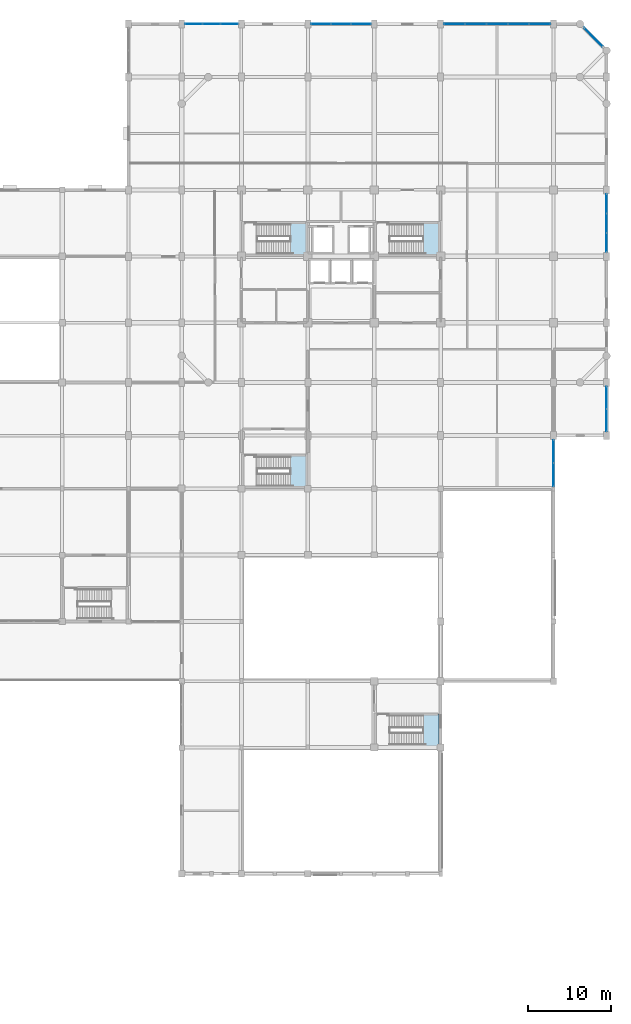
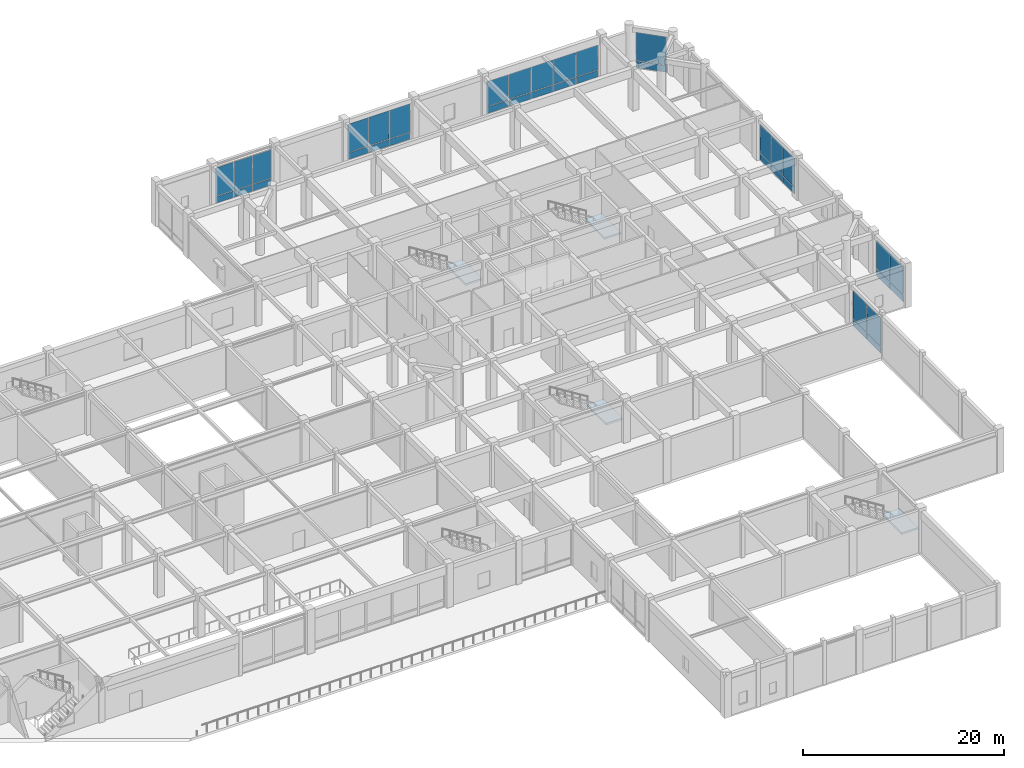
# One storey, part 20 of 36: 38 plates, 4 slabs, 11 elements without a shape of their own.
"""IFC4 building model written with IfcOpenShell, lengths in metres."""

import ifcopenshell
import ifcopenshell.guid

model = None  # the IFC model being written
_history = None  # IfcOwnerHistory: only IFC2X3 demands one
_inside = {}  # id of a spatial element -> (the spatial element, [elements in it])
_under = {}  # id of a project, library or spatial element -> (it, [spatial elements below it])
_declared = {}  # id of a project -> (the project, [libraries it declares])
_typed = {}  # id of a type object -> (the type object, [elements of that type])
_made_of = {}  # id of a material, layer set ... -> (it, [elements and type objects made of it])


def new_model(schema):
    """Start an empty IFC model of exactly this schema.

    Asked for "IFC4X3", IfcOpenShell would pick the latest addendum, in which some entities
    have other attributes; the version numbers below select the first issue.
    IFC2X3 requires an IfcOwnerHistory on every rooted entity: one is made here for all.
    """
    global model, _history
    if schema == "IFC4X3":
        model = ifcopenshell.file(schema_version=(4, 3, 0, 0))
    else:
        model = ifcopenshell.file(schema=schema)
    _inside.clear()
    _under.clear()
    _declared.clear()
    _typed.clear()
    _made_of.clear()
    _history = None
    if model.schema == "IFC2X3":
        org = make("IfcOrganization", Name="unknown")
        user = make(
            "IfcPersonAndOrganization",
            ThePerson=make("IfcPerson", FamilyName="unknown"),
            TheOrganization=org,
        )
        app = make(
            "IfcApplication",
            ApplicationDeveloper=org,
            Version="unknown",
            ApplicationFullName="unknown",
            ApplicationIdentifier="unknown",
        )
        _history = make(
            "IfcOwnerHistory",
            OwningUser=user,
            OwningApplication=app,
            ChangeAction="ADDED",
            CreationDate=0,
        )
    return model


def make(cls, **values):
    """One entity of the class cls with the attributes given. An attribute that is None is left unset."""
    return model.create_entity(
        cls, **{name: value for name, value in values.items() if value is not None}
    )


def rooted(cls, **values):
    """An entity with a GlobalId (a new one), such as an element, a storey or a relation."""
    return make(cls, GlobalId=ifcopenshell.guid.new(), OwnerHistory=_history, **values)


def si_unit(unit_type, name, prefix=None):
    """IfcSIUnit, for example si_unit("LENGTHUNIT", "METRE", prefix="MILLI")."""
    return make("IfcSIUnit", UnitType=unit_type, Prefix=prefix, Name=name)


def assignment(units):
    """IfcUnitAssignment: the units of a project."""
    return None if units is None else make("IfcUnitAssignment", Units=units)


def point(xyz):
    """IfcCartesianPoint."""
    return None if xyz is None else make("IfcCartesianPoint", Coordinates=xyz)


def direction(xyz):
    """IfcDirection."""
    return None if xyz is None else make("IfcDirection", DirectionRatios=xyz)


def frame(location, z_axis=None, x_axis=None):
    """IfcAxis2Placement3D, a coordinate frame: its origin and axes. An axis left out is left unset."""
    return make(
        "IfcAxis2Placement3D",
        Location=point(location),
        Axis=direction(z_axis),
        RefDirection=direction(x_axis),
    )


def frame_2d(location, x_axis=None):
    """IfcAxis2Placement2D, a coordinate frame in the plane: its origin and x axis."""
    return make(
        "IfcAxis2Placement2D", Location=point(location), RefDirection=direction(x_axis)
    )


def origin():
    """The frame at (0, 0, 0) with its axes left unset."""
    return frame((0.0, 0.0, 0.0))


def origin_2d():
    """The frame at (0, 0) in the plane with its x axis left unset."""
    return frame_2d((0.0, 0.0))


def place(relative_to, where):
    """IfcLocalPlacement: puts the frame where relative to a parent placement (None: the world)."""
    return make(
        "IfcLocalPlacement", PlacementRelTo=relative_to, RelativePlacement=where
    )


def context(
    kind, dimensions, precision=None, world=None, true_north=None, identifier=None
):
    """IfcGeometricRepresentationContext, for example the 3D "Model" context."""
    return make(
        "IfcGeometricRepresentationContext",
        ContextIdentifier=identifier,
        ContextType=kind,
        CoordinateSpaceDimension=dimensions,
        Precision=precision,
        WorldCoordinateSystem=world,
        TrueNorth=true_north,
    )


def subcontext(parent, identifier, kind, view, scale=None):
    """IfcGeometricRepresentationSubContext, for example "Body" below "Model"."""
    return make(
        "IfcGeometricRepresentationSubContext",
        ContextIdentifier=identifier,
        ContextType=kind,
        ParentContext=parent,
        TargetScale=scale,
        TargetView=view,
    )


def project(units=None, contexts=None):
    """IfcProject with its units and contexts."""
    return rooted(
        "IfcProject",
        Name="project",
        RepresentationContexts=contexts,
        UnitsInContext=assignment(units),
    )


def spatial(cls, under=None, at=None, **own):
    """A site, building, storey or space (cls), placed at a placement, below another one or the project."""
    s = rooted(cls, ObjectPlacement=at, **own)
    if under is not None:
        _under.setdefault(under.id(), (under, []))[1].append(s)
    return s


def polyline(points):
    """IfcPolyline through the points."""
    return make("IfcPolyline", Points=[point(p) for p in points])


def profile(cls, at=None, kind="AREA", **sizes):
    """A parametric profile (cls). Its sizes go by their IFC names, for example OverallWidth=200.0."""
    return make(cls, ProfileType=kind, Position=at, **sizes)


def rectangle(**sizes):
    """IfcRectangleProfileDef."""
    return profile("IfcRectangleProfileDef", **sizes)


def outline(outer, holes=None, kind="AREA"):
    """IfcArbitraryClosedProfileDef: a profile drawn as a closed curve; with holes, ...WithVoids."""
    if holes is None:
        return make("IfcArbitraryClosedProfileDef", ProfileType=kind, OuterCurve=outer)
    return make(
        "IfcArbitraryProfileDefWithVoids",
        ProfileType=kind,
        OuterCurve=outer,
        InnerCurves=holes,
    )


def extrude(swept, where, along, depth):
    """IfcExtrudedAreaSolid: the profile swept, set in the frame where, extruded along a direction by depth."""
    return make(
        "IfcExtrudedAreaSolid",
        SweptArea=swept,
        Position=where,
        ExtrudedDirection=direction(along),
        Depth=depth,
    )


def shape(context_of_items, identifier, shape_type, items):
    """IfcShapeRepresentation: the items that make up one representation, for example the "Body"."""
    return make(
        "IfcShapeRepresentation",
        ContextOfItems=context_of_items,
        RepresentationIdentifier=identifier,
        RepresentationType=shape_type,
        Items=items,
    )


def material(Name=None, Category=None):
    """IfcMaterial."""
    return make("IfcMaterial", Name=Name, Category=Category)


def layer(
    of_material, thickness, ventilated=None, Name=None, Category=None, Priority=None
):
    """IfcMaterialLayer: one layer of a wall or slab, of a material (None: an air gap)."""
    return make(
        "IfcMaterialLayer",
        Material=of_material,
        LayerThickness=thickness,
        IsVentilated=ventilated,
        Name=Name,
        Category=Category,
        Priority=Priority,
    )


def layer_set(layers, Name=None):
    """IfcMaterialLayerSet."""
    return make("IfcMaterialLayerSet", MaterialLayers=layers, LayerSetName=Name)


def made_of(thing, what):
    """Note that an element or type object is made of a material, layer set ...; save() writes the relation."""
    if what is not None:
        _made_of.setdefault(what.id(), (what, []))[1].append(thing)
    return thing


def type_object(cls, material=None, **own):
    """A type object (cls), such as IfcWallType, which elements share."""
    return made_of(rooted(cls, **own), material)


def element(
    cls,
    number,
    at=None,
    inside=None,
    cuts=None,
    type_object=None,
    material=None,
    context=None,
    identifier="Body",
    shape_type=None,
    held_by="IfcProductDefinitionShape",
    body=None,
    shapes=None,
    **own,
):
    """One element of the class cls, such as IfcWall. Its Tag is "e" and its number.

    at: its placement. inside: the storey or other place that contains it. cuts: it is an
    opening in that element (IfcRelVoidsElement). A single representation is given by context,
    identifier, shape_type and body (its items); several are given by shapes. held_by: the class
    of the entity that holds the representations. save() writes the other relations.
    """
    e = rooted(cls, Tag="e%d" % number, ObjectPlacement=at, **own)
    if body is not None:
        shapes = [shape(context, identifier, shape_type, body)]
    if shapes is not None:
        e.Representation = make(held_by, Representations=shapes)
    if inside is not None:
        _inside.setdefault(inside.id(), (inside, []))[1].append(e)
    if cuts is not None:
        rooted(
            "IfcRelVoidsElement", RelatingBuildingElement=cuts, RelatedOpeningElement=e
        )
    if type_object is not None:
        _typed.setdefault(type_object.id(), (type_object, []))[1].append(e)
    return made_of(e, material)


def aggregate(whole, parts):
    """IfcRelAggregates: a whole, such as a stair, and the parts it consists of."""
    return rooted("IfcRelAggregates", RelatingObject=whole, RelatedObjects=parts)


def save(model, path):
    """Write the relations noted so far, then the file.

    IfcRelAggregates (storeys below a building ...), IfcRelContainedInSpatialStructure (elements
    in a storey), IfcRelDefinesByType, IfcRelAssociatesMaterial and IfcRelDeclares: one each for
    every whole, place, type object, material and project.
    """
    for whole, parts in _under.values():
        aggregate(whole, parts)
    for where, things in _inside.values():
        rooted(
            "IfcRelContainedInSpatialStructure",
            RelatedElements=things,
            RelatingStructure=where,
        )
    for kind, things in _typed.values():
        rooted("IfcRelDefinesByType", RelatedObjects=things, RelatingType=kind)
    for what, things in _made_of.values():
        rooted("IfcRelAssociatesMaterial", RelatedObjects=things, RelatingMaterial=what)
    for by, libraries in _declared.values():
        rooted("IfcRelDeclares", RelatingContext=by, RelatedDefinitions=libraries)
    model.write(path)


model = new_model("IFC4")

# Units and contexts
model_context = context("Model", 3, precision=1e-05, world=origin(), true_north=direction((0.0, 1.0)))
body_context = subcontext(model_context, "Body", "Model", "MODEL_VIEW")
ifc_project = project(units=[si_unit("LENGTHUNIT", "METRE"), si_unit("AREAUNIT", "SQUARE_METRE"), si_unit("VOLUMEUNIT", "CUBIC_METRE"), si_unit("PLANEANGLEUNIT", "RADIAN"), si_unit("MASSUNIT", "GRAM", prefix="KILO")], contexts=[model_context])

# Site, building, storey
site_placement = place(None, origin())
site = spatial("IfcSite", under=ifc_project, at=site_placement, CompositionType="ELEMENT")
building_placement = place(site_placement, origin())
building = spatial("IfcBuilding", under=site, at=building_placement, Name="Vellmiral Cinema and Media Centre", CompositionType="ELEMENT")
storey_placement = place(building_placement, frame((0.0, 0.0, 5.39990234375)))
storey = spatial("IfcBuildingStorey", under=building, at=storey_placement, Name="L01", CompositionType="ELEMENT", Elevation=5.39990234375)

# Curtain wall, plates
ifc_material_1 = material(Name="Thermally Broken Aluminium and Triple Glazing", Category="aluminium")
curtain_wall_type = type_object("IfcCurtainWallType", Name="CW-LIB-BAY", PredefinedType="USERDEFINED", material=ifc_material_1)
curtain_wall_1_placement = place(storey_placement, origin())
curtain_wall_1 = element("IfcCurtainWall", 1, at=curtain_wall_1_placement, inside=storey, type_object=curtain_wall_type, Name="Curtain Wall L01-B034", ObjectType="STICK CURTAIN WALL", PredefinedType="USERDEFINED")
ifc_material_2 = material(Name="Laminated Studio Acoustic Glazing", Category="glass")
ifc_layer_1 = layer(ifc_material_2, 0.0439453125, Name="Laminated Studio Acoustic Glazing")
ifc_layer_set_1 = layer_set([ifc_layer_1], Name="Laminated Studio Acoustic Glazing")
plate_type_1 = type_object("IfcPlateType", Name="CWP-ACOUST-44", PredefinedType="CURTAIN_PANEL", material=ifc_layer_set_1)
plate_1_placement = place(storey_placement, frame((161.60009765625, 60.88623046875, 0.93505859375), z_axis=(0.0, 0.0, 1.0), x_axis=(0.0, 1.0, 0.0)))
plate_1 = element("IfcPlate", 2, at=plate_1_placement, type_object=plate_type_1, Name="CW-03 panel 1.2", PredefinedType="CURTAIN_PANEL", context=body_context, shape_type="SweptSolid", body=[
    extrude(rectangle(XDim=2.732421875, YDim=0.0439453125, at=origin_2d()), origin(), (0.0, 0.0, 1.0), 3.43505859375),
])
plate_2_placement = place(storey_placement, frame((161.60009765625, 63.688720703125, 0.93505859375), z_axis=(0.0, 0.0, 1.0), x_axis=(0.0, 1.0, 0.0)))
plate_2 = element("IfcPlate", 3, at=plate_2_placement, type_object=plate_type_1, Name="CW-03 panel 2.2", PredefinedType="CURTAIN_PANEL", context=body_context, shape_type="SweptSolid", body=[
    extrude(rectangle(XDim=2.732421875, YDim=0.0439453125, at=origin_2d()), origin(), (0.0, 0.0, 1.0), 3.43505859375),
])

curtain_wall_2_placement = place(storey_placement, origin())
curtain_wall_2 = element("IfcCurtainWall", 4, at=curtain_wall_2_placement, inside=storey, type_object=curtain_wall_type, Name="Curtain Wall L01-B036", ObjectType="STICK CURTAIN WALL", PredefinedType="USERDEFINED")
plate_3_placement = place(storey_placement, frame((168.0, 67.455078125, 0.93505859375), z_axis=(0.0, 0.0, 1.0), x_axis=(0.0, 1.0, 0.0)))
plate_3 = element("IfcPlate", 5, at=plate_3_placement, type_object=plate_type_1, Name="CW-03 panel 1.2", PredefinedType="CURTAIN_PANEL", context=body_context, shape_type="SweptSolid", body=[
    extrude(rectangle(XDim=2.6201171875, YDim=0.0439453125, at=origin_2d()), origin(), (0.0, 0.0, 1.0), 3.419921875),
])
plate_4_placement = place(storey_placement, frame((168.0, 70.14501953125, 0.93505859375), z_axis=(0.0, 0.0, 1.0), x_axis=(0.0, 1.0, 0.0)))
plate_4 = element("IfcPlate", 6, at=plate_4_placement, type_object=plate_type_1, Name="CW-03 panel 2.2", PredefinedType="CURTAIN_PANEL", context=body_context, shape_type="SweptSolid", body=[
    extrude(rectangle(XDim=2.6201171875, YDim=0.0439453125, at=origin_2d()), origin(), (0.0, 0.0, 1.0), 3.419921875),
])

curtain_wall_3_placement = place(storey_placement, origin())
curtain_wall_3 = element("IfcCurtainWall", 7, at=curtain_wall_3_placement, inside=storey, type_object=curtain_wall_type, Name="Curtain Wall L01-B040", ObjectType="STICK CURTAIN WALL", PredefinedType="USERDEFINED")
plate_5_placement = place(storey_placement, frame((168.0, 88.867431640625, 0.93505859375), z_axis=(0.0, 0.0, 1.0), x_axis=(0.0, 1.0, 0.0)))
plate_5 = element("IfcPlate", 8, at=plate_5_placement, type_object=plate_type_1, Name="CW-03 panel 1.2", PredefinedType="CURTAIN_PANEL", context=body_context, shape_type="SweptSolid", body=[
    extrude(rectangle(XDim=2.2451171875, YDim=0.0439453125, at=origin_2d()), origin(), (0.0, 0.0, 1.0), 3.43505859375),
])
plate_6_placement = place(storey_placement, frame((168.0, 91.199951171875, 0.93505859375), z_axis=(0.0, 0.0, 1.0), x_axis=(0.0, 1.0, 0.0)))
plate_6 = element("IfcPlate", 9, at=plate_6_placement, type_object=plate_type_1, Name="CW-03 panel 2.2", PredefinedType="CURTAIN_PANEL", context=body_context, shape_type="SweptSolid", body=[
    extrude(rectangle(XDim=2.280029296875, YDim=0.0439453125, at=origin_2d()), origin(), (0.0, 0.0, 1.0), 3.43505859375),
])
plate_7_placement = place(storey_placement, frame((168.0, 93.532470703125, 0.93505859375), z_axis=(0.0, 0.0, 1.0), x_axis=(0.0, 1.0, 0.0)))
plate_7 = element("IfcPlate", 10, at=plate_7_placement, type_object=plate_type_1, Name="CW-03 panel 3.2", PredefinedType="CURTAIN_PANEL", context=body_context, shape_type="SweptSolid", body=[
    extrude(rectangle(XDim=2.2451171875, YDim=0.0439453125, at=origin_2d()), origin(), (0.0, 0.0, 1.0), 3.43505859375),
])

# Curtain wall, plate
curtain_wall_4_placement = place(storey_placement, origin())
curtain_wall_4 = element("IfcCurtainWall", 11, at=curtain_wall_4_placement, inside=storey, type_object=curtain_wall_type, Name="Curtain Wall L01-B044", ObjectType="STICK CURTAIN WALL", PredefinedType="USERDEFINED")
plate_8_placement = place(storey_placement, frame((166.39990234375, 113.60009765625, 0.93505859375), z_axis=(0.0, 0.0, 1.0), x_axis=(-0.707106781187, 0.707106781187, 0.0)))
plate_8 = element("IfcPlate", 12, at=plate_8_placement, type_object=plate_type_1, Name="CW-03 panel 1.2", PredefinedType="CURTAIN_PANEL", context=body_context, shape_type="SweptSolid", body=[
    extrude(rectangle(XDim=3.11279296875, YDim=0.0439453125, at=origin_2d()), origin(), (0.0, 0.0, 1.0), 3.43505859375),
])

# Curtain wall, plates
curtain_wall_5_placement = place(storey_placement, origin())
curtain_wall_5 = element("IfcCurtainWall", 13, at=curtain_wall_5_placement, inside=storey, type_object=curtain_wall_type, Name="Curtain Wall L01-B046", ObjectType="STICK CURTAIN WALL", PredefinedType="USERDEFINED")
plate_9_placement = place(storey_placement, frame((159.9423828125, 115.199951171875, 0.93505859375), z_axis=(0.0, 0.0, 1.0), x_axis=(-1.0, 0.0, 0.0)))
plate_9 = element("IfcPlate", 14, at=plate_9_placement, type_object=plate_type_1, Name="CW-03 panel 1.2", PredefinedType="CURTAIN_PANEL", context=body_context, shape_type="SweptSolid", body=[
    extrude(rectangle(XDim=2.47509765625, YDim=0.0439453125, at=origin_2d()), origin(), (0.0, 0.0, 1.0), 3.02001953125),
])
plate_10_placement = place(storey_placement, frame((157.3798828125, 115.199951171875, 0.93505859375), z_axis=(0.0, 0.0, 1.0), x_axis=(-1.0, 0.0, 0.0)))
plate_10 = element("IfcPlate", 15, at=plate_10_placement, type_object=plate_type_1, Name="CW-03 panel 2.2", PredefinedType="CURTAIN_PANEL", context=body_context, shape_type="SweptSolid", body=[
    extrude(rectangle(XDim=2.510009765625, YDim=0.0439453125, at=origin_2d()), origin(), (0.0, 0.0, 1.0), 3.02001953125),
])
plate_11_placement = place(storey_placement, frame((154.800048828125, 115.199951171875, 0.93505859375), z_axis=(0.0, 0.0, 1.0), x_axis=(-1.0, 0.0, 0.0)))
plate_11 = element("IfcPlate", 16, at=plate_11_placement, type_object=plate_type_1, Name="CW-03 panel 3.2", PredefinedType="CURTAIN_PANEL", context=body_context, shape_type="SweptSolid", body=[
    extrude(rectangle(XDim=2.510009765625, YDim=0.0439453125, at=origin_2d()), origin(), (0.0, 0.0, 1.0), 3.02001953125),
])
plate_12_placement = place(storey_placement, frame((152.219970703125, 115.199951171875, 0.93505859375), z_axis=(0.0, 0.0, 1.0), x_axis=(-1.0, 0.0, 0.0)))
plate_12 = element("IfcPlate", 17, at=plate_12_placement, type_object=plate_type_1, Name="CW-03 panel 4.2", PredefinedType="CURTAIN_PANEL", context=body_context, shape_type="SweptSolid", body=[
    extrude(rectangle(XDim=2.510009765625, YDim=0.0439453125, at=origin_2d()), origin(), (0.0, 0.0, 1.0), 3.02001953125),
])
plate_13_placement = place(storey_placement, frame((149.657470703125, 115.199951171875, 0.93505859375), z_axis=(0.0, 0.0, 1.0), x_axis=(-1.0, 0.0, 0.0)))
plate_13 = element("IfcPlate", 18, at=plate_13_placement, type_object=plate_type_1, Name="CW-03 panel 5.2", PredefinedType="CURTAIN_PANEL", context=body_context, shape_type="SweptSolid", body=[
    extrude(rectangle(XDim=2.47509765625, YDim=0.0439453125, at=origin_2d()), origin(), (0.0, 0.0, 1.0), 3.02001953125),
])

curtain_wall_6_placement = place(storey_placement, origin())
curtain_wall_6 = element("IfcCurtainWall", 19, at=curtain_wall_6_placement, inside=storey, type_object=curtain_wall_type, Name="Curtain Wall L01-B048", ObjectType="STICK CURTAIN WALL", PredefinedType="USERDEFINED")
plate_14_placement = place(storey_placement, frame((138.415771484375, 115.199951171875, 0.93505859375), z_axis=(0.0, 0.0, 1.0), x_axis=(-1.0, 0.0, 0.0)))
plate_14 = element("IfcPlate", 20, at=plate_14_placement, type_object=plate_type_1, Name="CW-03 panel 1.2", PredefinedType="CURTAIN_PANEL", context=body_context, shape_type="SweptSolid", body=[
    extrude(rectangle(XDim=2.328369140625, YDim=0.0439453125, at=origin_2d()), origin(), (0.0, 0.0, 1.0), 3.43505859375),
])
plate_15_placement = place(storey_placement, frame((136.0, 115.199951171875, 0.93505859375), z_axis=(0.0, 0.0, 1.0), x_axis=(-1.0, 0.0, 0.0)))
plate_15 = element("IfcPlate", 21, at=plate_15_placement, type_object=plate_type_1, Name="CW-03 panel 2.2", PredefinedType="CURTAIN_PANEL", context=body_context, shape_type="SweptSolid", body=[
    extrude(rectangle(XDim=2.36328125, YDim=0.0439453125, at=origin_2d()), origin(), (0.0, 0.0, 1.0), 3.43505859375),
])
plate_16_placement = place(storey_placement, frame((133.584228515625, 115.199951171875, 0.93505859375), z_axis=(0.0, 0.0, 1.0), x_axis=(-1.0, 0.0, 0.0)))
plate_16 = element("IfcPlate", 22, at=plate_16_placement, type_object=plate_type_1, Name="CW-03 panel 3.2", PredefinedType="CURTAIN_PANEL", context=body_context, shape_type="SweptSolid", body=[
    extrude(rectangle(XDim=2.328369140625, YDim=0.0439453125, at=origin_2d()), origin(), (0.0, 0.0, 1.0), 3.43505859375),
])

curtain_wall_7_placement = place(storey_placement, origin())
curtain_wall_7 = element("IfcCurtainWall", 23, at=curtain_wall_7_placement, inside=storey, type_object=curtain_wall_type, Name="Curtain Wall L01-B050", ObjectType="STICK CURTAIN WALL", PredefinedType="USERDEFINED")
plate_17_placement = place(storey_placement, frame((122.549072265625, 115.199951171875, 0.93505859375), z_axis=(0.0, 0.0, 1.0), x_axis=(-1.0, 0.0, 0.0)))
plate_17 = element("IfcPlate", 24, at=plate_17_placement, type_object=plate_type_1, Name="CW-03 panel 1.2", PredefinedType="CURTAIN_PANEL", context=body_context, shape_type="SweptSolid", body=[
    extrude(rectangle(XDim=2.061767578125, YDim=0.0439453125, at=origin_2d()), origin(), (0.0, 0.0, 1.0), 3.43505859375),
])
plate_18_placement = place(storey_placement, frame((120.39990234375, 115.199951171875, 0.93505859375), z_axis=(0.0, 0.0, 1.0), x_axis=(-1.0, 0.0, 0.0)))
plate_18 = element("IfcPlate", 25, at=plate_18_placement, type_object=plate_type_1, Name="CW-03 panel 2.2", PredefinedType="CURTAIN_PANEL", context=body_context, shape_type="SweptSolid", body=[
    extrude(rectangle(XDim=2.0966796875, YDim=0.0439453125, at=origin_2d()), origin(), (0.0, 0.0, 1.0), 3.43505859375),
])
plate_19_placement = place(storey_placement, frame((118.250732421875, 115.199951171875, 0.93505859375), z_axis=(0.0, 0.0, 1.0), x_axis=(-1.0, 0.0, 0.0)))
plate_19 = element("IfcPlate", 26, at=plate_19_placement, type_object=plate_type_1, Name="CW-03 panel 3.2", PredefinedType="CURTAIN_PANEL", context=body_context, shape_type="SweptSolid", body=[
    extrude(rectangle(XDim=2.061767578125, YDim=0.0439453125, at=origin_2d()), origin(), (0.0, 0.0, 1.0), 3.43505859375),
])

# Plate
ifc_material_3 = material(Name="Honed Vosges Sandstone Spandrel Panel", Category="masonry")
ifc_layer_2 = layer(ifc_material_3, 0.06005859375, Name="Honed Vosges Sandstone Spandrel Panel")
ifc_layer_set_2 = layer_set([ifc_layer_2], Name="Honed Vosges Sandstone Spandrel Panel")
plate_type_2 = type_object("IfcPlateType", Name="CWP-SAND-60", PredefinedType="CURTAIN_PANEL", material=ifc_layer_set_2)
plate_20_placement = place(storey_placement, frame((161.60009765625, 60.88623046875, 0.070068359375), z_axis=(0.0, 0.0, 1.0), x_axis=(0.0, 1.0, 0.0)))
plate_20 = element("IfcPlate", 27, at=plate_20_placement, type_object=plate_type_2, Name="CW-03 panel 1.1", PredefinedType="CURTAIN_PANEL", context=body_context, shape_type="SweptSolid", body=[
    extrude(rectangle(XDim=2.732421875, YDim=0.06005859375, at=origin_2d()), origin(), (0.0, 0.0, 1.0), 0.794921875),
])

plate_21_placement = place(storey_placement, frame((161.60009765625, 63.688720703125, 0.070068359375), z_axis=(0.0, 0.0, 1.0), x_axis=(0.0, 1.0, 0.0)))
plate_21 = element("IfcPlate", 28, at=plate_21_placement, type_object=plate_type_2, Name="CW-03 panel 2.1", PredefinedType="CURTAIN_PANEL", context=body_context, shape_type="SweptSolid", body=[
    extrude(rectangle(XDim=2.732421875, YDim=0.06005859375, at=origin_2d()), origin(), (0.0, 0.0, 1.0), 0.794921875),
])

aggregate(curtain_wall_1, [plate_20, plate_1, plate_21, plate_2])

plate_22_placement = place(storey_placement, frame((168.0, 67.455078125, 0.070068359375), z_axis=(0.0, 0.0, 1.0), x_axis=(0.0, 1.0, 0.0)))
plate_22 = element("IfcPlate", 29, at=plate_22_placement, type_object=plate_type_2, Name="CW-03 panel 1.1", PredefinedType="CURTAIN_PANEL", context=body_context, shape_type="SweptSolid", body=[
    extrude(rectangle(XDim=2.6201171875, YDim=0.06005859375, at=origin_2d()), origin(), (0.0, 0.0, 1.0), 0.794921875),
])

plate_23_placement = place(storey_placement, frame((168.0, 70.14501953125, 0.070068359375), z_axis=(0.0, 0.0, 1.0), x_axis=(0.0, 1.0, 0.0)))
plate_23 = element("IfcPlate", 30, at=plate_23_placement, type_object=plate_type_2, Name="CW-03 panel 2.1", PredefinedType="CURTAIN_PANEL", context=body_context, shape_type="SweptSolid", body=[
    extrude(rectangle(XDim=2.6201171875, YDim=0.06005859375, at=origin_2d()), origin(), (0.0, 0.0, 1.0), 0.794921875),
])

aggregate(curtain_wall_2, [plate_22, plate_3, plate_23, plate_4])

plate_24_placement = place(storey_placement, frame((168.0, 88.867431640625, 0.070068359375), z_axis=(0.0, 0.0, 1.0), x_axis=(0.0, 1.0, 0.0)))
plate_24 = element("IfcPlate", 31, at=plate_24_placement, type_object=plate_type_2, Name="CW-03 panel 1.1", PredefinedType="CURTAIN_PANEL", context=body_context, shape_type="SweptSolid", body=[
    extrude(rectangle(XDim=2.2451171875, YDim=0.06005859375, at=origin_2d()), origin(), (0.0, 0.0, 1.0), 0.794921875),
])

plate_25_placement = place(storey_placement, frame((168.0, 91.199951171875, 0.070068359375), z_axis=(0.0, 0.0, 1.0), x_axis=(0.0, 1.0, 0.0)))
plate_25 = element("IfcPlate", 32, at=plate_25_placement, type_object=plate_type_2, Name="CW-03 panel 2.1", PredefinedType="CURTAIN_PANEL", context=body_context, shape_type="SweptSolid", body=[
    extrude(rectangle(XDim=2.280029296875, YDim=0.06005859375, at=origin_2d()), origin(), (0.0, 0.0, 1.0), 0.794921875),
])

plate_26_placement = place(storey_placement, frame((168.0, 93.532470703125, 0.070068359375), z_axis=(0.0, 0.0, 1.0), x_axis=(0.0, 1.0, 0.0)))
plate_26 = element("IfcPlate", 33, at=plate_26_placement, type_object=plate_type_2, Name="CW-03 panel 3.1", PredefinedType="CURTAIN_PANEL", context=body_context, shape_type="SweptSolid", body=[
    extrude(rectangle(XDim=2.2451171875, YDim=0.06005859375, at=origin_2d()), origin(), (0.0, 0.0, 1.0), 0.794921875),
])

aggregate(curtain_wall_3, [plate_24, plate_5, plate_25, plate_6, plate_26, plate_7])

plate_27_placement = place(storey_placement, frame((166.39990234375, 113.60009765625, 0.070068359375), z_axis=(0.0, 0.0, 1.0), x_axis=(-0.707106781187, 0.707106781187, 0.0)))
plate_27 = element("IfcPlate", 34, at=plate_27_placement, type_object=plate_type_2, Name="CW-03 panel 1.1", PredefinedType="CURTAIN_PANEL", context=body_context, shape_type="SweptSolid", body=[
    extrude(rectangle(XDim=3.11279296875, YDim=0.06005859375, at=origin_2d()), origin(), (0.0, 0.0, 1.0), 0.794921875),
])

aggregate(curtain_wall_4, [plate_27, plate_8])

plate_28_placement = place(storey_placement, frame((159.9423828125, 115.199951171875, 0.070068359375), z_axis=(0.0, 0.0, 1.0), x_axis=(-1.0, 0.0, 0.0)))
plate_28 = element("IfcPlate", 35, at=plate_28_placement, type_object=plate_type_2, Name="CW-03 panel 1.1", PredefinedType="CURTAIN_PANEL", context=body_context, shape_type="SweptSolid", body=[
    extrude(rectangle(XDim=2.47509765625, YDim=0.06005859375, at=origin_2d()), origin(), (0.0, 0.0, 1.0), 0.794921875),
])

plate_29_placement = place(storey_placement, frame((157.3798828125, 115.199951171875, 0.070068359375), z_axis=(0.0, 0.0, 1.0), x_axis=(-1.0, 0.0, 0.0)))
plate_29 = element("IfcPlate", 36, at=plate_29_placement, type_object=plate_type_2, Name="CW-03 panel 2.1", PredefinedType="CURTAIN_PANEL", context=body_context, shape_type="SweptSolid", body=[
    extrude(rectangle(XDim=2.510009765625, YDim=0.06005859375, at=origin_2d()), origin(), (0.0, 0.0, 1.0), 0.794921875),
])

plate_30_placement = place(storey_placement, frame((154.800048828125, 115.199951171875, 0.070068359375), z_axis=(0.0, 0.0, 1.0), x_axis=(-1.0, 0.0, 0.0)))
plate_30 = element("IfcPlate", 37, at=plate_30_placement, type_object=plate_type_2, Name="CW-03 panel 3.1", PredefinedType="CURTAIN_PANEL", context=body_context, shape_type="SweptSolid", body=[
    extrude(rectangle(XDim=2.510009765625, YDim=0.06005859375, at=origin_2d()), origin(), (0.0, 0.0, 1.0), 0.794921875),
])

plate_31_placement = place(storey_placement, frame((152.219970703125, 115.199951171875, 0.070068359375), z_axis=(0.0, 0.0, 1.0), x_axis=(-1.0, 0.0, 0.0)))
plate_31 = element("IfcPlate", 38, at=plate_31_placement, type_object=plate_type_2, Name="CW-03 panel 4.1", PredefinedType="CURTAIN_PANEL", context=body_context, shape_type="SweptSolid", body=[
    extrude(rectangle(XDim=2.510009765625, YDim=0.06005859375, at=origin_2d()), origin(), (0.0, 0.0, 1.0), 0.794921875),
])

plate_32_placement = place(storey_placement, frame((149.657470703125, 115.199951171875, 0.070068359375), z_axis=(0.0, 0.0, 1.0), x_axis=(-1.0, 0.0, 0.0)))
plate_32 = element("IfcPlate", 39, at=plate_32_placement, type_object=plate_type_2, Name="CW-03 panel 5.1", PredefinedType="CURTAIN_PANEL", context=body_context, shape_type="SweptSolid", body=[
    extrude(rectangle(XDim=2.47509765625, YDim=0.06005859375, at=origin_2d()), origin(), (0.0, 0.0, 1.0), 0.794921875),
])

aggregate(curtain_wall_5, [plate_28, plate_9, plate_29, plate_10, plate_30, plate_11, plate_31, plate_12, plate_32, plate_13])

plate_33_placement = place(storey_placement, frame((138.415771484375, 115.199951171875, 0.070068359375), z_axis=(0.0, 0.0, 1.0), x_axis=(-1.0, 0.0, 0.0)))
plate_33 = element("IfcPlate", 40, at=plate_33_placement, type_object=plate_type_2, Name="CW-03 panel 1.1", PredefinedType="CURTAIN_PANEL", context=body_context, shape_type="SweptSolid", body=[
    extrude(rectangle(XDim=2.328369140625, YDim=0.06005859375, at=origin_2d()), origin(), (0.0, 0.0, 1.0), 0.794921875),
])

plate_34_placement = place(storey_placement, frame((136.0, 115.199951171875, 0.070068359375), z_axis=(0.0, 0.0, 1.0), x_axis=(-1.0, 0.0, 0.0)))
plate_34 = element("IfcPlate", 41, at=plate_34_placement, type_object=plate_type_2, Name="CW-03 panel 2.1", PredefinedType="CURTAIN_PANEL", context=body_context, shape_type="SweptSolid", body=[
    extrude(rectangle(XDim=2.36328125, YDim=0.06005859375, at=origin_2d()), origin(), (0.0, 0.0, 1.0), 0.794921875),
])

plate_35_placement = place(storey_placement, frame((133.584228515625, 115.199951171875, 0.070068359375), z_axis=(0.0, 0.0, 1.0), x_axis=(-1.0, 0.0, 0.0)))
plate_35 = element("IfcPlate", 42, at=plate_35_placement, type_object=plate_type_2, Name="CW-03 panel 3.1", PredefinedType="CURTAIN_PANEL", context=body_context, shape_type="SweptSolid", body=[
    extrude(rectangle(XDim=2.328369140625, YDim=0.06005859375, at=origin_2d()), origin(), (0.0, 0.0, 1.0), 0.794921875),
])

aggregate(curtain_wall_6, [plate_33, plate_14, plate_34, plate_15, plate_35, plate_16])

plate_36_placement = place(storey_placement, frame((122.549072265625, 115.199951171875, 0.070068359375), z_axis=(0.0, 0.0, 1.0), x_axis=(-1.0, 0.0, 0.0)))
plate_36 = element("IfcPlate", 43, at=plate_36_placement, type_object=plate_type_2, Name="CW-03 panel 1.1", PredefinedType="CURTAIN_PANEL", context=body_context, shape_type="SweptSolid", body=[
    extrude(rectangle(XDim=2.061767578125, YDim=0.06005859375, at=origin_2d()), origin(), (0.0, 0.0, 1.0), 0.794921875),
])

plate_37_placement = place(storey_placement, frame((120.39990234375, 115.199951171875, 0.070068359375), z_axis=(0.0, 0.0, 1.0), x_axis=(-1.0, 0.0, 0.0)))
plate_37 = element("IfcPlate", 44, at=plate_37_placement, type_object=plate_type_2, Name="CW-03 panel 2.1", PredefinedType="CURTAIN_PANEL", context=body_context, shape_type="SweptSolid", body=[
    extrude(rectangle(XDim=2.0966796875, YDim=0.06005859375, at=origin_2d()), origin(), (0.0, 0.0, 1.0), 0.794921875),
])

plate_38_placement = place(storey_placement, frame((118.250732421875, 115.199951171875, 0.070068359375), z_axis=(0.0, 0.0, 1.0), x_axis=(-1.0, 0.0, 0.0)))
plate_38 = element("IfcPlate", 45, at=plate_38_placement, type_object=plate_type_2, Name="CW-03 panel 3.1", PredefinedType="CURTAIN_PANEL", context=body_context, shape_type="SweptSolid", body=[
    extrude(rectangle(XDim=2.061767578125, YDim=0.06005859375, at=origin_2d()), origin(), (0.0, 0.0, 1.0), 0.794921875),
])

aggregate(curtain_wall_7, [plate_36, plate_17, plate_37, plate_18, plate_38, plate_19])

# Stair, slab
ifc_material_4 = material(Name="Concrete C40/50", Category="concrete")
stair_type = type_object("IfcStairType", Name="ST-2RET-540", PredefinedType="HALF_TURN_STAIR", material=ifc_material_4)
stair_1_placement = place(storey_placement, origin())
stair_1 = element("IfcStair", 46, at=stair_1_placement, inside=storey, type_object=stair_type, Name="Protected Escape Stair ST-P6 (L01)", PredefinedType="HALF_TURN_STAIR")
ifc_material_5 = material(Name="Concrete C40/50", Category="concrete")
ifc_layer_3 = layer(ifc_material_5, 0.219970703125, Name="Concrete C40/50")
ifc_layer_set_3 = layer_set([ifc_layer_3], Name="Concrete C40/50")
slab_type = type_object("IfcSlabType", Name="SLB-LAND-220", PredefinedType="LANDING", material=ifc_layer_set_3)
slab_1_placement = place(storey_placement, frame((0.0, 0.0, 2.47998046875)))
slab_1 = element("IfcSlab", 47, at=slab_1_placement, type_object=slab_type, Name="ST-P6 landing 1", PredefinedType="LANDING", context=body_context, shape_type="SweptSolid", body=[
    extrude(outline(polyline([(129.909912109375, 59.3798828125), (131.820068359375, 59.3798828125), (131.820068359375, 63.219970703125), (129.909912109375, 63.219970703125), (129.909912109375, 59.3798828125)])), origin(), (0.0, 0.0, 1.0), 0.22021484375),
])
aggregate(stair_1, [slab_1])

stair_2_placement = place(storey_placement, origin())
stair_2 = element("IfcStair", 48, at=stair_2_placement, inside=storey, type_object=stair_type, Name="Protected Escape Stair ST-P8 (L01)", PredefinedType="HALF_TURN_STAIR")
slab_2_placement = place(storey_placement, frame((0.0, 0.0, 2.47998046875)))
slab_2 = element("IfcSlab", 49, at=slab_2_placement, type_object=slab_type, Name="ST-P8 landing 1", PredefinedType="LANDING", context=body_context, shape_type="SweptSolid", body=[
    extrude(outline(polyline([(145.909912109375, 28.179931640625), (147.820068359375, 28.179931640625), (147.820068359375, 32.02001953125), (145.909912109375, 32.02001953125), (145.909912109375, 28.179931640625)])), origin(), (0.0, 0.0, 1.0), 0.22021484375),
])
aggregate(stair_2, [slab_2])

stair_3_placement = place(storey_placement, origin())
stair_3 = element("IfcStair", 50, at=stair_3_placement, inside=storey, type_object=stair_type, Name="Protected Escape Stair ST-T1 (L01)", PredefinedType="HALF_TURN_STAIR")
slab_3_placement = place(storey_placement, frame((0.0, 0.0, 2.47998046875)))
slab_3 = element("IfcSlab", 51, at=slab_3_placement, type_object=slab_type, Name="ST-T1 landing 1", PredefinedType="LANDING", context=body_context, shape_type="SweptSolid", body=[
    extrude(outline(polyline([(129.909912109375, 87.3798828125), (131.820068359375, 87.3798828125), (131.820068359375, 91.219970703125), (129.909912109375, 91.219970703125), (129.909912109375, 87.3798828125)])), origin(), (0.0, 0.0, 1.0), 0.22021484375),
])
aggregate(stair_3, [slab_3])

stair_4_placement = place(storey_placement, origin())
stair_4 = element("IfcStair", 52, at=stair_4_placement, inside=storey, type_object=stair_type, Name="Protected Escape Stair ST-T2 (L01)", PredefinedType="HALF_TURN_STAIR")
slab_4_placement = place(storey_placement, frame((0.0, 0.0, 2.47998046875)))
slab_4 = element("IfcSlab", 53, at=slab_4_placement, type_object=slab_type, Name="ST-T2 landing 1", PredefinedType="LANDING", context=body_context, shape_type="SweptSolid", body=[
    extrude(outline(polyline([(145.909912109375, 87.3798828125), (147.820068359375, 87.3798828125), (147.820068359375, 91.219970703125), (145.909912109375, 91.219970703125), (145.909912109375, 87.3798828125)])), origin(), (0.0, 0.0, 1.0), 0.22021484375),
])
aggregate(stair_4, [slab_4])

save(model, "model.ifc")
